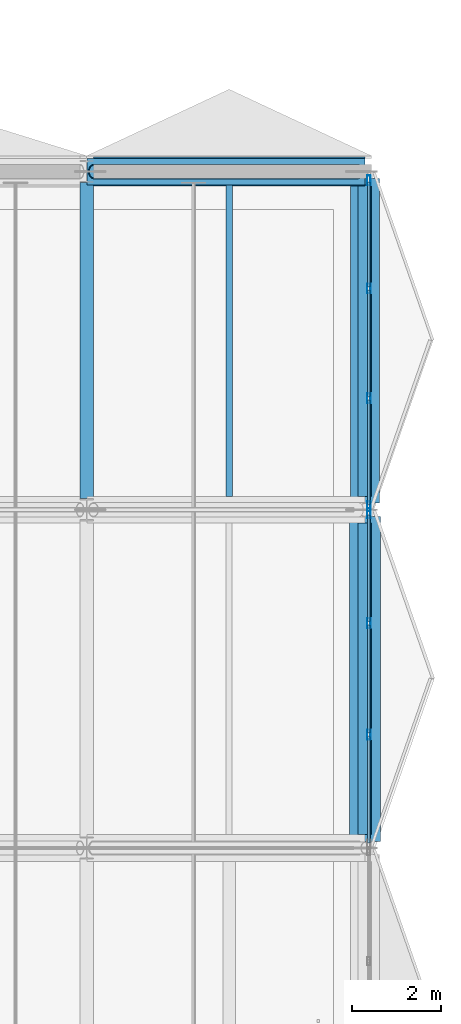
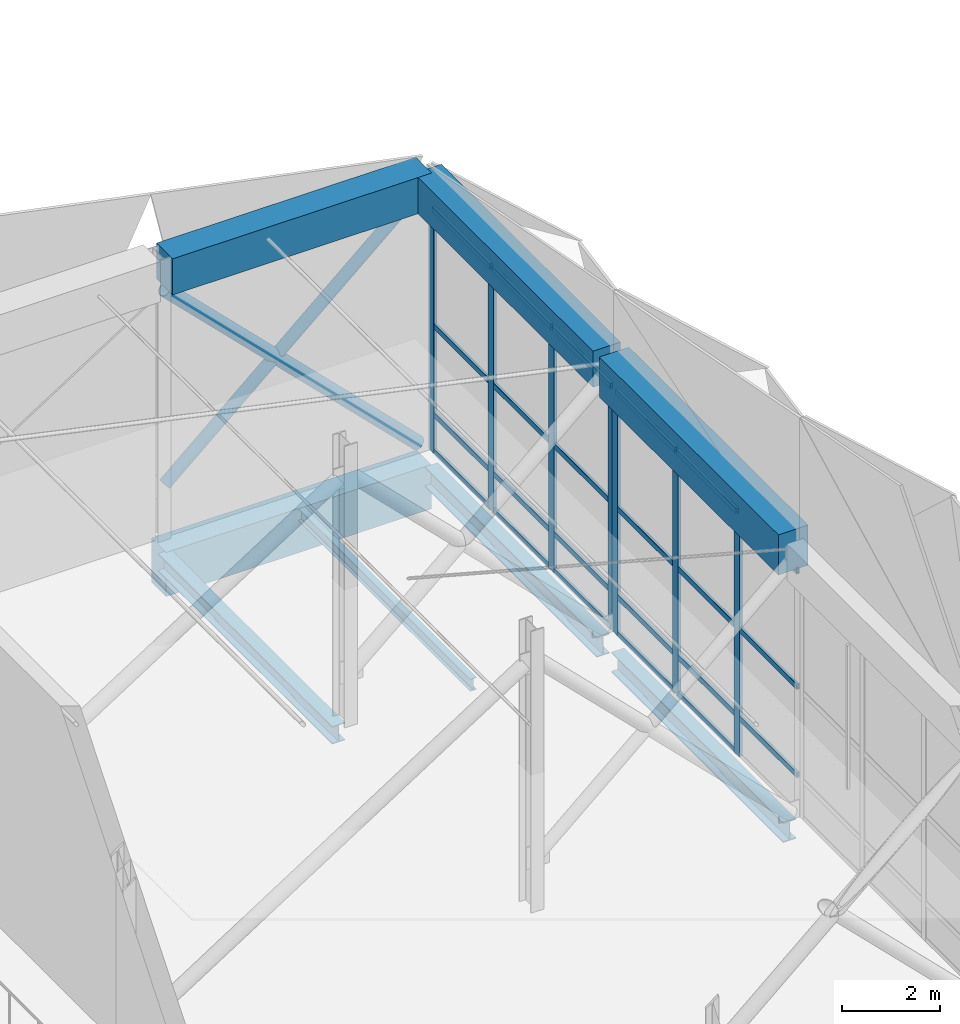
# One storey, part 12 of 46: 32 members, 8 beams, 2 elements without a shape of their own.
"""IFC4 building model written with IfcOpenShell, lengths in metres."""

import ifcopenshell
import ifcopenshell.guid

model = None  # the IFC model being written
_history = None  # IfcOwnerHistory: only IFC2X3 demands one
_inside = {}  # id of a spatial element -> (the spatial element, [elements in it])
_under = {}  # id of a project, library or spatial element -> (it, [spatial elements below it])
_declared = {}  # id of a project -> (the project, [libraries it declares])
_typed = {}  # id of a type object -> (the type object, [elements of that type])
_made_of = {}  # id of a material, layer set ... -> (it, [elements and type objects made of it])


def new_model(schema):
    """Start an empty IFC model of exactly this schema.

    Asked for "IFC4X3", IfcOpenShell would pick the latest addendum, in which some entities
    have other attributes; the version numbers below select the first issue.
    IFC2X3 requires an IfcOwnerHistory on every rooted entity: one is made here for all.
    """
    global model, _history
    if schema == "IFC4X3":
        model = ifcopenshell.file(schema_version=(4, 3, 0, 0))
    else:
        model = ifcopenshell.file(schema=schema)
    _inside.clear()
    _under.clear()
    _declared.clear()
    _typed.clear()
    _made_of.clear()
    _history = None
    if model.schema == "IFC2X3":
        org = make("IfcOrganization", Name="unknown")
        user = make(
            "IfcPersonAndOrganization",
            ThePerson=make("IfcPerson", FamilyName="unknown"),
            TheOrganization=org,
        )
        app = make(
            "IfcApplication",
            ApplicationDeveloper=org,
            Version="unknown",
            ApplicationFullName="unknown",
            ApplicationIdentifier="unknown",
        )
        _history = make(
            "IfcOwnerHistory",
            OwningUser=user,
            OwningApplication=app,
            ChangeAction="ADDED",
            CreationDate=0,
        )
    return model


def make(cls, **values):
    """One entity of the class cls with the attributes given. An attribute that is None is left unset."""
    return model.create_entity(
        cls, **{name: value for name, value in values.items() if value is not None}
    )


def rooted(cls, **values):
    """An entity with a GlobalId (a new one), such as an element, a storey or a relation."""
    return make(cls, GlobalId=ifcopenshell.guid.new(), OwnerHistory=_history, **values)


def si_unit(unit_type, name, prefix=None):
    """IfcSIUnit, for example si_unit("LENGTHUNIT", "METRE", prefix="MILLI")."""
    return make("IfcSIUnit", UnitType=unit_type, Prefix=prefix, Name=name)


def assignment(units):
    """IfcUnitAssignment: the units of a project."""
    return None if units is None else make("IfcUnitAssignment", Units=units)


def point(xyz):
    """IfcCartesianPoint."""
    return None if xyz is None else make("IfcCartesianPoint", Coordinates=xyz)


def direction(xyz):
    """IfcDirection."""
    return None if xyz is None else make("IfcDirection", DirectionRatios=xyz)


def frame(location, z_axis=None, x_axis=None):
    """IfcAxis2Placement3D, a coordinate frame: its origin and axes. An axis left out is left unset."""
    return make(
        "IfcAxis2Placement3D",
        Location=point(location),
        Axis=direction(z_axis),
        RefDirection=direction(x_axis),
    )


def frame_2d(location, x_axis=None):
    """IfcAxis2Placement2D, a coordinate frame in the plane: its origin and x axis."""
    return make(
        "IfcAxis2Placement2D", Location=point(location), RefDirection=direction(x_axis)
    )


def origin():
    """The frame at (0, 0, 0) with its axes left unset."""
    return frame((0.0, 0.0, 0.0))


def origin_2d():
    """The frame at (0, 0) in the plane with its x axis left unset."""
    return frame_2d((0.0, 0.0))


def place(relative_to, where):
    """IfcLocalPlacement: puts the frame where relative to a parent placement (None: the world)."""
    return make(
        "IfcLocalPlacement", PlacementRelTo=relative_to, RelativePlacement=where
    )


def context(
    kind, dimensions, precision=None, world=None, true_north=None, identifier=None
):
    """IfcGeometricRepresentationContext, for example the 3D "Model" context."""
    return make(
        "IfcGeometricRepresentationContext",
        ContextIdentifier=identifier,
        ContextType=kind,
        CoordinateSpaceDimension=dimensions,
        Precision=precision,
        WorldCoordinateSystem=world,
        TrueNorth=true_north,
    )


def subcontext(parent, identifier, kind, view, scale=None):
    """IfcGeometricRepresentationSubContext, for example "Body" below "Model"."""
    return make(
        "IfcGeometricRepresentationSubContext",
        ContextIdentifier=identifier,
        ContextType=kind,
        ParentContext=parent,
        TargetScale=scale,
        TargetView=view,
    )


def project(units=None, contexts=None):
    """IfcProject with its units and contexts."""
    return rooted(
        "IfcProject",
        Name="project",
        RepresentationContexts=contexts,
        UnitsInContext=assignment(units),
    )


def spatial(cls, under=None, at=None, **own):
    """A site, building, storey or space (cls), placed at a placement, below another one or the project."""
    s = rooted(cls, ObjectPlacement=at, **own)
    if under is not None:
        _under.setdefault(under.id(), (under, []))[1].append(s)
    return s


def profile(cls, at=None, kind="AREA", **sizes):
    """A parametric profile (cls). Its sizes go by their IFC names, for example OverallWidth=200.0."""
    return make(cls, ProfileType=kind, Position=at, **sizes)


def rectangle(**sizes):
    """IfcRectangleProfileDef."""
    return profile("IfcRectangleProfileDef", **sizes)


def hollow_rectangle(**sizes):
    """IfcRectangleHollowProfileDef."""
    return profile("IfcRectangleHollowProfileDef", **sizes)


def hollow_circle(**sizes):
    """IfcCircleHollowProfileDef."""
    return profile("IfcCircleHollowProfileDef", **sizes)


def i_section(**sizes):
    """IfcIShapeProfileDef."""
    return profile("IfcIShapeProfileDef", **sizes)


def extrude(swept, where, along, depth):
    """IfcExtrudedAreaSolid: the profile swept, set in the frame where, extruded along a direction by depth."""
    return make(
        "IfcExtrudedAreaSolid",
        SweptArea=swept,
        Position=where,
        ExtrudedDirection=direction(along),
        Depth=depth,
    )


def shape(context_of_items, identifier, shape_type, items):
    """IfcShapeRepresentation: the items that make up one representation, for example the "Body"."""
    return make(
        "IfcShapeRepresentation",
        ContextOfItems=context_of_items,
        RepresentationIdentifier=identifier,
        RepresentationType=shape_type,
        Items=items,
    )


def material(Name=None, Category=None):
    """IfcMaterial."""
    return make("IfcMaterial", Name=Name, Category=Category)


def material_profile(
    of_material, cross_section, Name=None, Category=None, Priority=None
):
    """IfcMaterialProfile: a cross section and its material."""
    return make(
        "IfcMaterialProfile",
        Name=Name,
        Material=of_material,
        Profile=cross_section,
        Priority=Priority,
        Category=Category,
    )


def profile_set(profiles, Name=None, composite=None):
    """IfcMaterialProfileSet."""
    return make(
        "IfcMaterialProfileSet",
        Name=Name,
        MaterialProfiles=profiles,
        CompositeProfile=composite,
    )


def made_of(thing, what):
    """Note that an element or type object is made of a material, layer set ...; save() writes the relation."""
    if what is not None:
        _made_of.setdefault(what.id(), (what, []))[1].append(thing)
    return thing


def type_object(cls, material=None, **own):
    """A type object (cls), such as IfcWallType, which elements share."""
    return made_of(rooted(cls, **own), material)


def element(
    cls,
    number,
    at=None,
    inside=None,
    cuts=None,
    type_object=None,
    material=None,
    context=None,
    identifier="Body",
    shape_type=None,
    held_by="IfcProductDefinitionShape",
    body=None,
    shapes=None,
    **own,
):
    """One element of the class cls, such as IfcWall. Its Tag is "e" and its number.

    at: its placement. inside: the storey or other place that contains it. cuts: it is an
    opening in that element (IfcRelVoidsElement). A single representation is given by context,
    identifier, shape_type and body (its items); several are given by shapes. held_by: the class
    of the entity that holds the representations. save() writes the other relations.
    """
    e = rooted(cls, Tag="e%d" % number, ObjectPlacement=at, **own)
    if body is not None:
        shapes = [shape(context, identifier, shape_type, body)]
    if shapes is not None:
        e.Representation = make(held_by, Representations=shapes)
    if inside is not None:
        _inside.setdefault(inside.id(), (inside, []))[1].append(e)
    if cuts is not None:
        rooted(
            "IfcRelVoidsElement", RelatingBuildingElement=cuts, RelatedOpeningElement=e
        )
    if type_object is not None:
        _typed.setdefault(type_object.id(), (type_object, []))[1].append(e)
    return made_of(e, material)


def aggregate(whole, parts):
    """IfcRelAggregates: a whole, such as a stair, and the parts it consists of."""
    return rooted("IfcRelAggregates", RelatingObject=whole, RelatedObjects=parts)


def save(model, path):
    """Write the relations noted so far, then the file.

    IfcRelAggregates (storeys below a building ...), IfcRelContainedInSpatialStructure (elements
    in a storey), IfcRelDefinesByType, IfcRelAssociatesMaterial and IfcRelDeclares: one each for
    every whole, place, type object, material and project.
    """
    for whole, parts in _under.values():
        aggregate(whole, parts)
    for where, things in _inside.values():
        rooted(
            "IfcRelContainedInSpatialStructure",
            RelatedElements=things,
            RelatingStructure=where,
        )
    for kind, things in _typed.values():
        rooted("IfcRelDefinesByType", RelatedObjects=things, RelatingType=kind)
    for what, things in _made_of.values():
        rooted("IfcRelAssociatesMaterial", RelatedObjects=things, RelatingMaterial=what)
    for by, libraries in _declared.values():
        rooted("IfcRelDeclares", RelatingContext=by, RelatedDefinitions=libraries)
    model.write(path)


model = new_model("IFC4")

# Units and contexts
model_context = context("Model", 3, precision=1e-05, world=origin(), true_north=direction((0.0, 1.0)))
body_context = subcontext(model_context, "Body", "Model", "MODEL_VIEW")
ifc_project = project(units=[si_unit("LENGTHUNIT", "METRE"), si_unit("AREAUNIT", "SQUARE_METRE"), si_unit("VOLUMEUNIT", "CUBIC_METRE"), si_unit("PLANEANGLEUNIT", "RADIAN"), si_unit("MASSUNIT", "GRAM", prefix="KILO")], contexts=[model_context])

# Site, building, storey
site_placement = place(None, origin())
site = spatial("IfcSite", under=ifc_project, at=site_placement, CompositionType="ELEMENT")
building_placement = place(site_placement, origin())
building = spatial("IfcBuilding", under=site, at=building_placement, Name="Khelvaren Railside Concert Hall", CompositionType="ELEMENT")
storey_placement = place(building_placement, frame((0.0, 0.0, 19.800048828125)))
storey = spatial("IfcBuildingStorey", under=building, at=storey_placement, Name="L04", CompositionType="ELEMENT", Elevation=19.800048828125)

# Beam
ifc_material_1 = material(Name="Steel S355", Category="steel")
ifc_material_profile_1 = material_profile(ifc_material_1, i_section(OverallWidth=0.300048828125, OverallDepth=0.43994140625, WebThickness=0.011474609375, FlangeThickness=0.02099609375, FilletRadius=0.027099609375, at=origin_2d()), Name="HEA 450")
ifc_profile_set_1 = profile_set([ifc_material_profile_1], Name="Steel S355")
beam_type_1 = type_object("IfcBeamType", Name="BM89", PredefinedType="BEAM", material=ifc_profile_set_1)
beam_1_placement = place(storey_placement, frame((49.60009765625, 38.25, -0.489990234375), z_axis=(0.0, 1.0, 0.0), x_axis=(-1.0, 0.0, 0.0)))
element("IfcBeam", 1, at=beam_1_placement, inside=storey, type_object=beam_type_1, Name="V1 L04 Beam Y7.6", PredefinedType="BEAM", context=body_context, shape_type="SweptSolid", body=[
    extrude(i_section(OverallWidth=0.300048828125, OverallDepth=0.43994140625, WebThickness=0.011474609375, FlangeThickness=0.02099609375, FilletRadius=0.027099609375, at=origin_2d()), origin(), (0.0, 0.0, 1.0), 7.10009765625),
])

# Member
ifc_material_profile_2 = material_profile(ifc_material_1, hollow_circle(Radius=0.161865234375, WallThickness=0.01611328125, at=origin_2d()), Name="CHS 323.9x16")
ifc_profile_set_2 = profile_set([ifc_material_profile_2], Name="Steel S355")
member_type_1 = type_object("IfcMemberType", Name="BR78", PredefinedType="BRACE", material=ifc_profile_set_2)
member_1_placement = place(storey_placement, frame((49.75, 45.60009765625, 6.050048828125), z_axis=(0.710072403589, 0.0, -0.704128668399), x_axis=(0.0, 1.0, 0.0)))
element("IfcMember", 2, at=member_1_placement, inside=storey, type_object=member_type_1, Name="V1 L04 Plaza Cantilever Truss Diagonal 7A", PredefinedType="BRACE", context=body_context, shape_type="SweptSolid", body=[
    extrude(hollow_circle(Radius=0.161865234375, WallThickness=0.01611328125, at=origin_2d()), origin(), (0.0, 0.0, 1.0), 8.37939453125),
])

# Curtain wall, members
ifc_material_2 = material(Name="Double-glazed clear foyer glass", Category="glass")
curtain_wall_type_1 = type_object("IfcCurtainWallType", Name="CW68", PredefinedType="USERDEFINED", material=ifc_material_2)
curtain_wall_1_placement = place(storey_placement, origin())
curtain_wall_1 = element("IfcCurtainWall", 3, at=curtain_wall_1_placement, inside=storey, type_object=curtain_wall_type_1, Name="Unitised Curtain Wall CW-V1-L04-E-30", ObjectType="UNITISED CURTAIN WALL", PredefinedType="USERDEFINED")
ifc_material_3 = material(Name="Anodised architectural aluminium 6063-T6", Category="aluminium")
ifc_material_profile_3 = material_profile(ifc_material_3, hollow_rectangle(XDim=0.074951171875, YDim=0.219970703125, WallThickness=0.0048828125, InnerFilletRadius=0.0029296875, OuterFilletRadius=0.0048828125, at=origin_2d()), Name="CWM 75x220x5")
ifc_profile_set_3 = profile_set([ifc_material_profile_3], Name="Anodised architectural aluminium 6063-T6")
member_type_2 = type_object("IfcMemberType", Name="CWM13", PredefinedType="MULLION", material=ifc_profile_set_3)
member_2_placement = place(storey_placement, frame((55.93994140625, 37.922607421875, 0.0), z_axis=(0.0, 0.0, 1.0), x_axis=(1.0, 0.0, 0.0)))
member_2 = element("IfcMember", 4, at=member_2_placement, type_object=member_type_2, Name="CW68 mullion 1", PredefinedType="MULLION", context=body_context, shape_type="SweptSolid", body=[
    extrude(hollow_rectangle(XDim=0.074951171875, YDim=0.219970703125, WallThickness=0.0048828125, InnerFilletRadius=0.0029296875, OuterFilletRadius=0.0048828125, at=origin_2d()), origin(), (0.0, 0.0, 1.0), 6.050048828125),
])
member_3_placement = place(storey_placement, frame((55.93994140625, 35.453369140625, 0.0), z_axis=(0.0, 0.0, 1.0), x_axis=(1.0, 0.0, 0.0)))
member_3 = element("IfcMember", 5, at=member_3_placement, type_object=member_type_2, Name="CW68 mullion 2", PredefinedType="MULLION", context=body_context, shape_type="SweptSolid", body=[
    extrude(hollow_rectangle(XDim=0.074951171875, YDim=0.219970703125, WallThickness=0.0048828125, InnerFilletRadius=0.0029296875, OuterFilletRadius=0.0048828125, at=origin_2d()), origin(), (0.0, 0.0, 1.0), 6.050048828125),
])
member_4_placement = place(storey_placement, frame((55.93994140625, 32.94677734375, 0.0), z_axis=(0.0, 0.0, 1.0), x_axis=(1.0, 0.0, 0.0)))
member_4 = element("IfcMember", 6, at=member_4_placement, type_object=member_type_2, Name="CW68 mullion 3", PredefinedType="MULLION", context=body_context, shape_type="SweptSolid", body=[
    extrude(hollow_rectangle(XDim=0.074951171875, YDim=0.219970703125, WallThickness=0.0048828125, InnerFilletRadius=0.0029296875, OuterFilletRadius=0.0048828125, at=origin_2d()), origin(), (0.0, 0.0, 1.0), 6.050048828125),
])

curtain_wall_type_2 = type_object("IfcCurtainWallType", Name="CW70", PredefinedType="USERDEFINED", material=ifc_material_2)
curtain_wall_2_placement = place(storey_placement, origin())
curtain_wall_2 = element("IfcCurtainWall", 7, at=curtain_wall_2_placement, inside=storey, type_object=curtain_wall_type_2, Name="Unitised Curtain Wall CW-V1-L04-E-38", ObjectType="UNITISED CURTAIN WALL", PredefinedType="USERDEFINED")
member_5_placement = place(storey_placement, frame((55.93994140625, 45.402587890625, 0.0), z_axis=(0.0, 0.0, 1.0), x_axis=(1.0, 0.0, 0.0)))
member_5 = element("IfcMember", 8, at=member_5_placement, type_object=member_type_2, Name="CW70 mullion 1", PredefinedType="MULLION", context=body_context, shape_type="SweptSolid", body=[
    extrude(hollow_rectangle(XDim=0.074951171875, YDim=0.219970703125, WallThickness=0.0048828125, InnerFilletRadius=0.0029296875, OuterFilletRadius=0.0048828125, at=origin_2d()), origin(), (0.0, 0.0, 1.0), 6.050048828125),
])
member_6_placement = place(storey_placement, frame((55.93994140625, 42.973388671875, 0.0), z_axis=(0.0, 0.0, 1.0), x_axis=(1.0, 0.0, 0.0)))
member_6 = element("IfcMember", 9, at=member_6_placement, type_object=member_type_2, Name="CW70 mullion 2", PredefinedType="MULLION", context=body_context, shape_type="SweptSolid", body=[
    extrude(hollow_rectangle(XDim=0.074951171875, YDim=0.219970703125, WallThickness=0.0048828125, InnerFilletRadius=0.0029296875, OuterFilletRadius=0.0048828125, at=origin_2d()), origin(), (0.0, 0.0, 1.0), 6.050048828125),
])
member_7_placement = place(storey_placement, frame((55.93994140625, 40.506591796875, 0.0), z_axis=(0.0, 0.0, 1.0), x_axis=(1.0, 0.0, 0.0)))
member_7 = element("IfcMember", 10, at=member_7_placement, type_object=member_type_2, Name="CW70 mullion 3", PredefinedType="MULLION", context=body_context, shape_type="SweptSolid", body=[
    extrude(hollow_rectangle(XDim=0.074951171875, YDim=0.219970703125, WallThickness=0.0048828125, InnerFilletRadius=0.0029296875, OuterFilletRadius=0.0048828125, at=origin_2d()), origin(), (0.0, 0.0, 1.0), 6.050048828125),
])
member_8_placement = place(storey_placement, frame((55.93994140625, 38.077392578125, 0.0), z_axis=(0.0, 0.0, 1.0), x_axis=(1.0, 0.0, 0.0)))
member_8 = element("IfcMember", 11, at=member_8_placement, type_object=member_type_2, Name="CW70 mullion 4", PredefinedType="MULLION", context=body_context, shape_type="SweptSolid", body=[
    extrude(hollow_rectangle(XDim=0.074951171875, YDim=0.219970703125, WallThickness=0.0048828125, InnerFilletRadius=0.0029296875, OuterFilletRadius=0.0048828125, at=origin_2d()), origin(), (0.0, 0.0, 1.0), 6.050048828125),
])

# Member
ifc_material_profile_4 = material_profile(ifc_material_3, hollow_rectangle(XDim=0.06494140625, YDim=0.139892578125, WallThickness=0.00390625, InnerFilletRadius=0.001953125, OuterFilletRadius=0.00390625, at=origin_2d()), Name="CWT 65x140x4")
ifc_profile_set_4 = profile_set([ifc_material_profile_4], Name="Anodised architectural aluminium 6063-T6")
member_type_3 = type_object("IfcMemberType", Name="CWT72", PredefinedType="USERDEFINED", material=ifc_profile_set_4)
member_9_placement = place(storey_placement, frame((55.93994140625, 37.885009765625, 0.032470703125), z_axis=(0.0, -1.0, 0.0), x_axis=(1.0, 0.0, 0.0)))
member_9 = element("IfcMember", 12, at=member_9_placement, type_object=member_type_3, Name="CW68 transom 1.1", ObjectType="TRANSOM", PredefinedType="USERDEFINED", context=body_context, shape_type="SweptSolid", body=[
    extrude(hollow_rectangle(XDim=0.06494140625, YDim=0.139892578125, WallThickness=0.00390625, InnerFilletRadius=0.001953125, OuterFilletRadius=0.00390625, at=origin_2d()), origin(), (0.0, 0.0, 1.0), 2.394287109375),
])

member_10_placement = place(storey_placement, frame((55.93994140625, 37.885009765625, 0.949951171875), z_axis=(0.0, -1.0, 0.0), x_axis=(1.0, 0.0, 0.0)))
member_10 = element("IfcMember", 13, at=member_10_placement, type_object=member_type_3, Name="CW68 transom 1.2", ObjectType="TRANSOM", PredefinedType="USERDEFINED", context=body_context, shape_type="SweptSolid", body=[
    extrude(hollow_rectangle(XDim=0.06494140625, YDim=0.139892578125, WallThickness=0.00390625, InnerFilletRadius=0.001953125, OuterFilletRadius=0.00390625, at=origin_2d()), origin(), (0.0, 0.0, 1.0), 2.394287109375),
])

member_11_placement = place(storey_placement, frame((55.93994140625, 37.885009765625, 3.14599609375), z_axis=(0.0, -1.0, 0.0), x_axis=(1.0, 0.0, 0.0)))
member_11 = element("IfcMember", 14, at=member_11_placement, type_object=member_type_3, Name="CW68 transom 1.3", ObjectType="TRANSOM", PredefinedType="USERDEFINED", context=body_context, shape_type="SweptSolid", body=[
    extrude(hollow_rectangle(XDim=0.06494140625, YDim=0.139892578125, WallThickness=0.00390625, InnerFilletRadius=0.001953125, OuterFilletRadius=0.00390625, at=origin_2d()), origin(), (0.0, 0.0, 1.0), 2.394287109375),
])

member_12_placement = place(storey_placement, frame((55.93994140625, 37.885009765625, 6.017333984375), z_axis=(0.0, -1.0, 0.0), x_axis=(1.0, 0.0, 0.0)))
member_12 = element("IfcMember", 15, at=member_12_placement, type_object=member_type_3, Name="CW68 transom 1.4", ObjectType="TRANSOM", PredefinedType="USERDEFINED", context=body_context, shape_type="SweptSolid", body=[
    extrude(hollow_rectangle(XDim=0.06494140625, YDim=0.139892578125, WallThickness=0.00390625, InnerFilletRadius=0.001953125, OuterFilletRadius=0.00390625, at=origin_2d()), origin(), (0.0, 0.0, 1.0), 2.394287109375),
])

member_13_placement = place(storey_placement, frame((55.93994140625, 35.415771484375, 0.032470703125), z_axis=(0.0, -1.0, 0.0), x_axis=(1.0, 0.0, 0.0)))
member_13 = element("IfcMember", 16, at=member_13_placement, type_object=member_type_3, Name="CW68 transom 2.1", ObjectType="TRANSOM", PredefinedType="USERDEFINED", context=body_context, shape_type="SweptSolid", body=[
    extrude(hollow_rectangle(XDim=0.06494140625, YDim=0.139892578125, WallThickness=0.00390625, InnerFilletRadius=0.001953125, OuterFilletRadius=0.00390625, at=origin_2d()), origin(), (0.0, 0.0, 1.0), 2.431640625),
])

member_14_placement = place(storey_placement, frame((55.93994140625, 35.415771484375, 0.949951171875), z_axis=(0.0, -1.0, 0.0), x_axis=(1.0, 0.0, 0.0)))
member_14 = element("IfcMember", 17, at=member_14_placement, type_object=member_type_3, Name="CW68 transom 2.2", ObjectType="TRANSOM", PredefinedType="USERDEFINED", context=body_context, shape_type="SweptSolid", body=[
    extrude(hollow_rectangle(XDim=0.06494140625, YDim=0.139892578125, WallThickness=0.00390625, InnerFilletRadius=0.001953125, OuterFilletRadius=0.00390625, at=origin_2d()), origin(), (0.0, 0.0, 1.0), 2.431640625),
])

member_15_placement = place(storey_placement, frame((55.93994140625, 35.415771484375, 3.14599609375), z_axis=(0.0, -1.0, 0.0), x_axis=(1.0, 0.0, 0.0)))
member_15 = element("IfcMember", 18, at=member_15_placement, type_object=member_type_3, Name="CW68 transom 2.3", ObjectType="TRANSOM", PredefinedType="USERDEFINED", context=body_context, shape_type="SweptSolid", body=[
    extrude(hollow_rectangle(XDim=0.06494140625, YDim=0.139892578125, WallThickness=0.00390625, InnerFilletRadius=0.001953125, OuterFilletRadius=0.00390625, at=origin_2d()), origin(), (0.0, 0.0, 1.0), 2.431640625),
])

member_16_placement = place(storey_placement, frame((55.93994140625, 35.415771484375, 6.017333984375), z_axis=(0.0, -1.0, 0.0), x_axis=(1.0, 0.0, 0.0)))
member_16 = element("IfcMember", 19, at=member_16_placement, type_object=member_type_3, Name="CW68 transom 2.4", ObjectType="TRANSOM", PredefinedType="USERDEFINED", context=body_context, shape_type="SweptSolid", body=[
    extrude(hollow_rectangle(XDim=0.06494140625, YDim=0.139892578125, WallThickness=0.00390625, InnerFilletRadius=0.001953125, OuterFilletRadius=0.00390625, at=origin_2d()), origin(), (0.0, 0.0, 1.0), 2.431640625),
])

member_17_placement = place(storey_placement, frame((55.93994140625, 32.9091796875, 0.949951171875), z_axis=(0.0, -1.0, 0.0), x_axis=(1.0, 0.0, 0.0)))
member_17 = element("IfcMember", 20, at=member_17_placement, type_object=member_type_3, Name="CW68 transom 3.2", ObjectType="TRANSOM", PredefinedType="USERDEFINED", context=body_context, shape_type="SweptSolid", body=[
    extrude(hollow_rectangle(XDim=0.06494140625, YDim=0.139892578125, WallThickness=0.00390625, InnerFilletRadius=0.001953125, OuterFilletRadius=0.00390625, at=origin_2d()), origin(), (0.0, 0.0, 1.0), 2.394287109375),
])

member_18_placement = place(storey_placement, frame((55.93994140625, 32.9091796875, 3.14599609375), z_axis=(0.0, -1.0, 0.0), x_axis=(1.0, 0.0, 0.0)))
member_18 = element("IfcMember", 21, at=member_18_placement, type_object=member_type_3, Name="CW68 transom 3.3", ObjectType="TRANSOM", PredefinedType="USERDEFINED", context=body_context, shape_type="SweptSolid", body=[
    extrude(hollow_rectangle(XDim=0.06494140625, YDim=0.139892578125, WallThickness=0.00390625, InnerFilletRadius=0.001953125, OuterFilletRadius=0.00390625, at=origin_2d()), origin(), (0.0, 0.0, 1.0), 2.394287109375),
])

member_19_placement = place(storey_placement, frame((55.93994140625, 32.9091796875, 6.017333984375), z_axis=(0.0, -1.0, 0.0), x_axis=(1.0, 0.0, 0.0)))
member_19 = element("IfcMember", 22, at=member_19_placement, type_object=member_type_3, Name="CW68 transom 3.4", ObjectType="TRANSOM", PredefinedType="USERDEFINED", context=body_context, shape_type="SweptSolid", body=[
    extrude(hollow_rectangle(XDim=0.06494140625, YDim=0.139892578125, WallThickness=0.00390625, InnerFilletRadius=0.001953125, OuterFilletRadius=0.00390625, at=origin_2d()), origin(), (0.0, 0.0, 1.0), 2.394287109375),
])

aggregate(curtain_wall_1, [member_2, member_3, member_4, member_9, member_10, member_11, member_12, member_13, member_14, member_15, member_16, member_17, member_18, member_19])

member_20_placement = place(storey_placement, frame((55.93994140625, 45.364990234375, 0.032470703125), z_axis=(0.0, -1.0, 0.0), x_axis=(1.0, 0.0, 0.0)))
member_20 = element("IfcMember", 23, at=member_20_placement, type_object=member_type_3, Name="CW70 transom 1.1", ObjectType="TRANSOM", PredefinedType="USERDEFINED", context=body_context, shape_type="SweptSolid", body=[
    extrude(hollow_rectangle(XDim=0.06494140625, YDim=0.139892578125, WallThickness=0.00390625, InnerFilletRadius=0.001953125, OuterFilletRadius=0.00390625, at=origin_2d()), origin(), (0.0, 0.0, 1.0), 2.354248046875),
])

member_21_placement = place(storey_placement, frame((55.93994140625, 45.364990234375, 0.949951171875), z_axis=(0.0, -1.0, 0.0), x_axis=(1.0, 0.0, 0.0)))
member_21 = element("IfcMember", 24, at=member_21_placement, type_object=member_type_3, Name="CW70 transom 1.2", ObjectType="TRANSOM", PredefinedType="USERDEFINED", context=body_context, shape_type="SweptSolid", body=[
    extrude(hollow_rectangle(XDim=0.06494140625, YDim=0.139892578125, WallThickness=0.00390625, InnerFilletRadius=0.001953125, OuterFilletRadius=0.00390625, at=origin_2d()), origin(), (0.0, 0.0, 1.0), 2.354248046875),
])

member_22_placement = place(storey_placement, frame((55.93994140625, 45.364990234375, 3.14599609375), z_axis=(0.0, -1.0, 0.0), x_axis=(1.0, 0.0, 0.0)))
member_22 = element("IfcMember", 25, at=member_22_placement, type_object=member_type_3, Name="CW70 transom 1.3", ObjectType="TRANSOM", PredefinedType="USERDEFINED", context=body_context, shape_type="SweptSolid", body=[
    extrude(hollow_rectangle(XDim=0.06494140625, YDim=0.139892578125, WallThickness=0.00390625, InnerFilletRadius=0.001953125, OuterFilletRadius=0.00390625, at=origin_2d()), origin(), (0.0, 0.0, 1.0), 2.354248046875),
])

member_23_placement = place(storey_placement, frame((55.93994140625, 45.364990234375, 6.017333984375), z_axis=(0.0, -1.0, 0.0), x_axis=(1.0, 0.0, 0.0)))
member_23 = element("IfcMember", 26, at=member_23_placement, type_object=member_type_3, Name="CW70 transom 1.4", ObjectType="TRANSOM", PredefinedType="USERDEFINED", context=body_context, shape_type="SweptSolid", body=[
    extrude(hollow_rectangle(XDim=0.06494140625, YDim=0.139892578125, WallThickness=0.00390625, InnerFilletRadius=0.001953125, OuterFilletRadius=0.00390625, at=origin_2d()), origin(), (0.0, 0.0, 1.0), 2.354248046875),
])

member_24_placement = place(storey_placement, frame((55.93994140625, 42.935791015625, 0.032470703125), z_axis=(0.0, -1.0, 0.0), x_axis=(1.0, 0.0, 0.0)))
member_24 = element("IfcMember", 27, at=member_24_placement, type_object=member_type_3, Name="CW70 transom 2.1", ObjectType="TRANSOM", PredefinedType="USERDEFINED", context=body_context, shape_type="SweptSolid", body=[
    extrude(hollow_rectangle(XDim=0.06494140625, YDim=0.139892578125, WallThickness=0.00390625, InnerFilletRadius=0.001953125, OuterFilletRadius=0.00390625, at=origin_2d()), origin(), (0.0, 0.0, 1.0), 2.3916015625),
])

member_25_placement = place(storey_placement, frame((55.93994140625, 42.935791015625, 0.949951171875), z_axis=(0.0, -1.0, 0.0), x_axis=(1.0, 0.0, 0.0)))
member_25 = element("IfcMember", 28, at=member_25_placement, type_object=member_type_3, Name="CW70 transom 2.2", ObjectType="TRANSOM", PredefinedType="USERDEFINED", context=body_context, shape_type="SweptSolid", body=[
    extrude(hollow_rectangle(XDim=0.06494140625, YDim=0.139892578125, WallThickness=0.00390625, InnerFilletRadius=0.001953125, OuterFilletRadius=0.00390625, at=origin_2d()), origin(), (0.0, 0.0, 1.0), 2.3916015625),
])

member_26_placement = place(storey_placement, frame((55.93994140625, 42.935791015625, 3.14599609375), z_axis=(0.0, -1.0, 0.0), x_axis=(1.0, 0.0, 0.0)))
member_26 = element("IfcMember", 29, at=member_26_placement, type_object=member_type_3, Name="CW70 transom 2.3", ObjectType="TRANSOM", PredefinedType="USERDEFINED", context=body_context, shape_type="SweptSolid", body=[
    extrude(hollow_rectangle(XDim=0.06494140625, YDim=0.139892578125, WallThickness=0.00390625, InnerFilletRadius=0.001953125, OuterFilletRadius=0.00390625, at=origin_2d()), origin(), (0.0, 0.0, 1.0), 2.3916015625),
])

member_27_placement = place(storey_placement, frame((55.93994140625, 42.935791015625, 6.017333984375), z_axis=(0.0, -1.0, 0.0), x_axis=(1.0, 0.0, 0.0)))
member_27 = element("IfcMember", 30, at=member_27_placement, type_object=member_type_3, Name="CW70 transom 2.4", ObjectType="TRANSOM", PredefinedType="USERDEFINED", context=body_context, shape_type="SweptSolid", body=[
    extrude(hollow_rectangle(XDim=0.06494140625, YDim=0.139892578125, WallThickness=0.00390625, InnerFilletRadius=0.001953125, OuterFilletRadius=0.00390625, at=origin_2d()), origin(), (0.0, 0.0, 1.0), 2.3916015625),
])

member_28_placement = place(storey_placement, frame((55.93994140625, 40.46923828125, 0.032470703125), z_axis=(0.0, -1.0, 0.0), x_axis=(1.0, 0.0, 0.0)))
member_28 = element("IfcMember", 31, at=member_28_placement, type_object=member_type_3, Name="CW70 transom 3.1", ObjectType="TRANSOM", PredefinedType="USERDEFINED", context=body_context, shape_type="SweptSolid", body=[
    extrude(hollow_rectangle(XDim=0.06494140625, YDim=0.139892578125, WallThickness=0.00390625, InnerFilletRadius=0.001953125, OuterFilletRadius=0.00390625, at=origin_2d()), origin(), (0.0, 0.0, 1.0), 2.354248046875),
])

member_29_placement = place(storey_placement, frame((55.93994140625, 40.46923828125, 0.949951171875), z_axis=(0.0, -1.0, 0.0), x_axis=(1.0, 0.0, 0.0)))
member_29 = element("IfcMember", 32, at=member_29_placement, type_object=member_type_3, Name="CW70 transom 3.2", ObjectType="TRANSOM", PredefinedType="USERDEFINED", context=body_context, shape_type="SweptSolid", body=[
    extrude(hollow_rectangle(XDim=0.06494140625, YDim=0.139892578125, WallThickness=0.00390625, InnerFilletRadius=0.001953125, OuterFilletRadius=0.00390625, at=origin_2d()), origin(), (0.0, 0.0, 1.0), 2.354248046875),
])

member_30_placement = place(storey_placement, frame((55.93994140625, 40.46923828125, 3.14599609375), z_axis=(0.0, -1.0, 0.0), x_axis=(1.0, 0.0, 0.0)))
member_30 = element("IfcMember", 33, at=member_30_placement, type_object=member_type_3, Name="CW70 transom 3.3", ObjectType="TRANSOM", PredefinedType="USERDEFINED", context=body_context, shape_type="SweptSolid", body=[
    extrude(hollow_rectangle(XDim=0.06494140625, YDim=0.139892578125, WallThickness=0.00390625, InnerFilletRadius=0.001953125, OuterFilletRadius=0.00390625, at=origin_2d()), origin(), (0.0, 0.0, 1.0), 2.354248046875),
])

member_31_placement = place(storey_placement, frame((55.93994140625, 40.46923828125, 6.017333984375), z_axis=(0.0, -1.0, 0.0), x_axis=(1.0, 0.0, 0.0)))
member_31 = element("IfcMember", 34, at=member_31_placement, type_object=member_type_3, Name="CW70 transom 3.4", ObjectType="TRANSOM", PredefinedType="USERDEFINED", context=body_context, shape_type="SweptSolid", body=[
    extrude(hollow_rectangle(XDim=0.06494140625, YDim=0.139892578125, WallThickness=0.00390625, InnerFilletRadius=0.001953125, OuterFilletRadius=0.00390625, at=origin_2d()), origin(), (0.0, 0.0, 1.0), 2.354248046875),
])

aggregate(curtain_wall_2, [member_5, member_6, member_7, member_8, member_20, member_21, member_22, member_23, member_24, member_25, member_26, member_27, member_28, member_29, member_30, member_31])

# Beams
ifc_material_4 = material(Name="Concrete C40/50", Category="concrete")
ifc_material_profile_5 = material_profile(ifc_material_4, rectangle(XDim=0.60009765625, YDim=1.10009765625, at=origin_2d()), Name="RCB 600x1100")
ifc_profile_set_5 = profile_set([ifc_material_profile_5], Name="Concrete C40/50")
beam_type_2 = type_object("IfcBeamType", Name="GR15", PredefinedType="T_BEAM", material=ifc_profile_set_5)
beam_2_placement = place(storey_placement, frame((49.610107421875, 45.60009765625, -0.820068359375), z_axis=(1.0, 0.0, 0.0), x_axis=(0.0, 1.0, 0.0)))
element("IfcBeam", 35, at=beam_2_placement, inside=storey, type_object=beam_type_2, Name="V1 L04 Arrival Cantilever Girder 7", PredefinedType="T_BEAM", context=body_context, shape_type="SweptSolid", body=[
    extrude(rectangle(XDim=0.60009765625, YDim=1.10009765625, at=origin_2d()), origin(), (0.0, 0.0, 1.0), 6.239990234375),
])
ifc_material_profile_6 = material_profile(ifc_material_1, i_section(OverallWidth=0.14990234375, OverallDepth=0.300048828125, WebThickness=0.007080078125, FlangeThickness=0.0107421875, FilletRadius=0.014892578125, at=origin_2d()), Name="IPE 300")
ifc_profile_set_6 = profile_set([ifc_material_profile_6], Name="Steel S355")
beam_type_3 = type_object("IfcBeamType", Name="JS26", PredefinedType="JOIST", material=ifc_profile_set_6)
beam_3_placement = place(storey_placement, frame((52.800048828125, 38.300048828125, -0.420166015625), z_axis=(0.0, 1.0, 0.0), x_axis=(-1.0, 0.0, 0.0)))
element("IfcBeam", 36, at=beam_3_placement, inside=storey, type_object=beam_type_3, Name="V1 L04 Secondary Joist 7.6", PredefinedType="JOIST", context=body_context, shape_type="SweptSolid", body=[
    extrude(i_section(OverallWidth=0.14990234375, OverallDepth=0.300048828125, WebThickness=0.007080078125, FlangeThickness=0.0107421875, FilletRadius=0.014892578125, at=origin_2d()), origin(), (0.0, 0.0, 1.0), 7.0),
])
ifc_material_profile_7 = material_profile(ifc_material_4, rectangle(XDim=0.699951171875, YDim=1.0, at=origin_2d()), Name="RCB 700x1000")
ifc_profile_set_7 = profile_set([ifc_material_profile_7], Name="Concrete C40/50")
beam_type_4 = type_object("IfcBeamType", Name="RB80", PredefinedType="USERDEFINED", material=ifc_profile_set_7)
beam_4_placement = place(storey_placement, frame((55.85009765625, 30.550048828125, 6.550048828125), z_axis=(0.0, 1.0, 0.0), x_axis=(-1.0, 0.0, 0.0)))
element("IfcBeam", 37, at=beam_4_placement, inside=storey, type_object=beam_type_4, Name="Main Hall Compression Ring Beam 25", ObjectType="RING BEAM", PredefinedType="USERDEFINED", context=body_context, shape_type="SweptSolid", body=[
    extrude(rectangle(XDim=0.699951171875, YDim=1.0, at=origin_2d()), origin(), (0.0, 0.0, 1.0), 7.300048828125),
])
ifc_material_profile_8 = material_profile(ifc_material_4, rectangle(XDim=0.64990234375, YDim=0.89990234375, at=origin_2d()), Name="RCB 650x900")
ifc_profile_set_8 = profile_set([ifc_material_profile_8], Name="Concrete C40/50")
beam_type_5 = type_object("IfcBeamType", Name="RB88", PredefinedType="USERDEFINED", material=ifc_profile_set_8)
beam_5_placement = place(storey_placement, frame((49.75, 45.60009765625, 6.550048828125), z_axis=(1.0, 0.0, 0.0), x_axis=(0.0, 1.0, 0.0)))
element("IfcBeam", 38, at=beam_5_placement, inside=storey, type_object=beam_type_5, Name="Main Hall Compression Ring Beam 14", ObjectType="RING BEAM", PredefinedType="USERDEFINED", context=body_context, shape_type="SweptSolid", body=[
    extrude(rectangle(XDim=0.64990234375, YDim=0.89990234375, at=origin_2d()), origin(), (0.0, 0.0, 1.0), 6.10009765625),
])
beam_6_placement = place(storey_placement, frame((55.85009765625, 38.14990234375, 6.550048828125), z_axis=(0.0, 1.0, 0.0), x_axis=(-1.0, 0.0, 0.0)))
element("IfcBeam", 39, at=beam_6_placement, inside=storey, type_object=beam_type_5, Name="Main Hall Compression Ring Beam 26", ObjectType="RING BEAM", PredefinedType="USERDEFINED", context=body_context, shape_type="SweptSolid", body=[
    extrude(rectangle(XDim=0.64990234375, YDim=0.89990234375, at=origin_2d()), origin(), (0.0, 0.0, 1.0), 7.300048828125),
])

# Member
ifc_material_profile_9 = material_profile(ifc_material_1, hollow_circle(Radius=0.136474609375, WallThickness=0.01611328125, at=origin_2d()), Name="CHS 273x16")
ifc_profile_set_9 = profile_set([ifc_material_profile_9], Name="Steel S355")
member_type_4 = type_object("IfcMemberType", Name="RSU43", PredefinedType="STRUT", material=ifc_profile_set_9)
member_32_placement = place(storey_placement, frame((49.75, 45.60009765625, 1.199951171875), z_axis=(0.75181197221, 0.0, 0.65937755379), x_axis=(0.0, 1.0, 0.0)))
element("IfcMember", 40, at=member_32_placement, inside=storey, type_object=member_type_4, Name="Main Hall East Cantilever Ring Strut 7", PredefinedType="STRUT", context=body_context, shape_type="SweptSolid", body=[
    extrude(hollow_circle(Radius=0.136474609375, WallThickness=0.01611328125, at=origin_2d()), origin(), (0.0, 0.0, 1.0), 8.11376953125),
])

# Beams
ifc_material_profile_10 = material_profile(ifc_material_1, i_section(OverallWidth=0.300048828125, OverallDepth=0.5, WebThickness=0.014404296875, FlangeThickness=0.028076171875, FilletRadius=0.027099609375, at=origin_2d()), Name="HEB 500")
ifc_profile_set_10 = profile_set([ifc_material_profile_10], Name="Steel S355")
beam_type_6 = type_object("IfcBeamType", Name="SP12", PredefinedType="SPANDREL", material=ifc_profile_set_10)
for number, where, z_axis, x_axis, name in (
    (41, (55.85009765625, 30.699951171875, -0.52001953125), (0.0, 1.0, 0.0), (-1.0, 0.0, 0.0), "V1 L04 Cantilever Tip Spandrel Y5"),
    (42, (55.85009765625, 38.300048828125, -0.52001953125), (0.0, 1.0, 0.0), (-1.0, 0.0, 0.0), "V1 L04 Cantilever Tip Spandrel Y6"),
):
    element("IfcBeam", number, at=place(storey_placement, frame(where, z_axis=z_axis, x_axis=x_axis)), inside=storey, type_object=beam_type_6, Name=name, PredefinedType="SPANDREL", context=body_context, shape_type="SweptSolid", body=[
        extrude(i_section(OverallWidth=0.300048828125, OverallDepth=0.5, WebThickness=0.014404296875, FlangeThickness=0.028076171875, FilletRadius=0.027099609375, at=origin_2d()), origin(), (0.0, 0.0, 1.0), 7.0),
    ])

save(model, "model.ifc")
